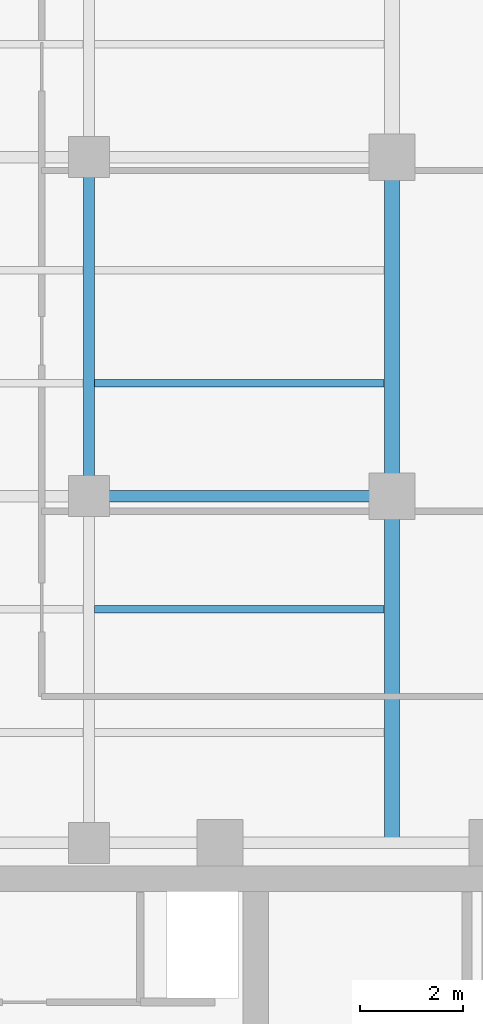
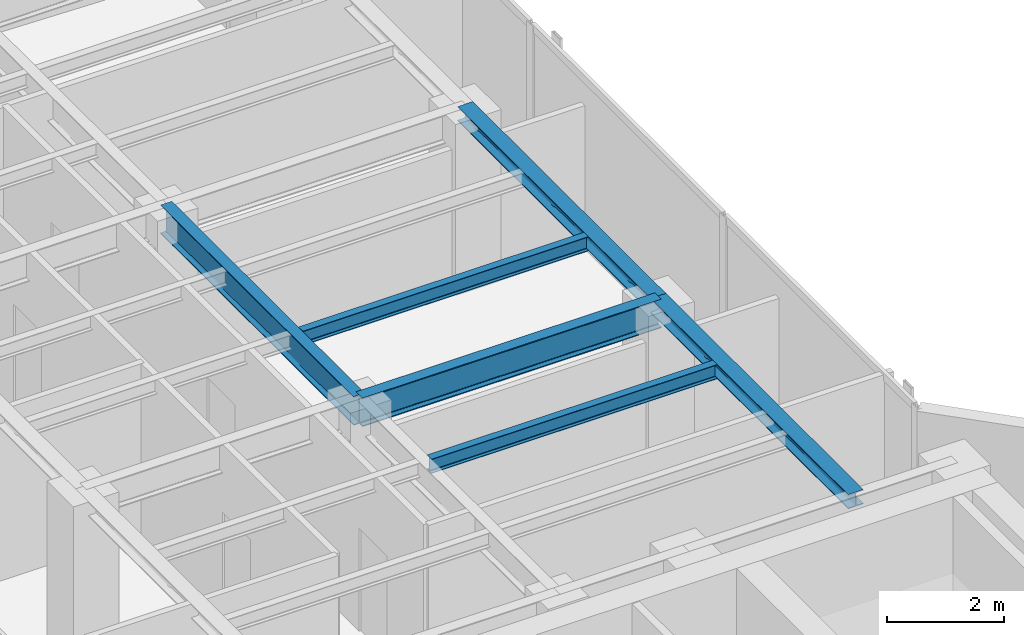
# One storey, part 9 of 22: 6 beams.
"""IFC4 building model written with IfcOpenShell, lengths in metres."""

from ifc_helpers import new_model, si_unit, direction, frame, origin, origin_2d, place, context, subcontext, project, spatial, i_section, extrude, material, material_profile, profile_set, type_object, element, save


model = new_model("IFC4")

# Units and contexts
model_context = context("Model", 3, precision=1e-05, world=origin(), true_north=direction((0.0, 1.0)))
body_context = subcontext(model_context, "Body", "Model", "MODEL_VIEW")
ifc_project = project(units=[si_unit("LENGTHUNIT", "METRE"), si_unit("AREAUNIT", "SQUARE_METRE"), si_unit("VOLUMEUNIT", "CUBIC_METRE"), si_unit("PLANEANGLEUNIT", "RADIAN"), si_unit("MASSUNIT", "GRAM", prefix="KILO")], contexts=[model_context])

# Site, building, storey
site_placement = place(None, origin())
site = spatial("IfcSite", under=ifc_project, at=site_placement, CompositionType="ELEMENT")
building_placement = place(site_placement, origin())
building = spatial("IfcBuilding", under=site, at=building_placement, Name="Kolvaren Waterfront Exchange", CompositionType="ELEMENT")
storey_placement = place(building_placement, frame((0.0, 0.0, 323.60009765625)))
storey = spatial("IfcBuildingStorey", under=building, at=storey_placement, Name="L83", CompositionType="ELEMENT", Elevation=323.60009765625)

# Beams
ifc_material = material(Name="Steel S355", Category="steel")
ifc_material_profile_1 = material_profile(ifc_material, i_section(OverallWidth=0.300048828125, OverallDepth=0.300048828125, WebThickness=0.010986328125, FlangeThickness=0.01904296875, FilletRadius=0.027099609375, at=origin_2d()), Name="HEB300")
ifc_profile_set_1 = profile_set([ifc_material_profile_1], Name="Steel S355")
beam_type_1 = type_object("IfcBeamType", Name="STR-BM-HEB300", PredefinedType="SPANDREL", material=ifc_profile_set_1)
beam_1_placement = place(storey_placement, frame((18.800048828125, 24.449951171875, 3.409912109375), z_axis=(0.0, 1.0, 0.0), x_axis=(-1.0, 0.0, 0.0)))
element("IfcBeam", 1, at=beam_1_placement, inside=storey, type_object=beam_type_1, Name="L83 north-arm edge beam 1", PredefinedType="SPANDREL", context=body_context, shape_type="SweptSolid", body=[
    extrude(i_section(OverallWidth=0.300048828125, OverallDepth=0.300048828125, WebThickness=0.010986328125, FlangeThickness=0.01904296875, FilletRadius=0.027099609375, at=origin_2d()), origin(), (0.0, 0.0, 1.0), 6.75),
])
beam_2_placement = place(storey_placement, frame((18.800048828125, 31.199951171875, 3.409912109375), z_axis=(0.0, 1.0, 0.0), x_axis=(-1.0, 0.0, 0.0)))
element("IfcBeam", 2, at=beam_2_placement, inside=storey, type_object=beam_type_1, Name="L83 north-arm edge beam 2", PredefinedType="SPANDREL", context=body_context, shape_type="SweptSolid", body=[
    extrude(i_section(OverallWidth=0.300048828125, OverallDepth=0.300048828125, WebThickness=0.010986328125, FlangeThickness=0.01904296875, FilletRadius=0.027099609375, at=origin_2d()), origin(), (0.0, 0.0, 1.0), 6.60009765625),
])
ifc_material_profile_2 = material_profile(ifc_material, i_section(OverallWidth=0.14990234375, OverallDepth=0.300048828125, WebThickness=0.007080078125, FlangeThickness=0.0107421875, FilletRadius=0.014892578125, at=origin_2d()), Name="IPE300")
ifc_profile_set_2 = profile_set([ifc_material_profile_2], Name="Steel S355")
beam_type_2 = type_object("IfcBeamType", Name="STR-BM-IPE300", PredefinedType="JOIST", material=ifc_profile_set_2)
for number, where, z_axis, x_axis, name in (
    (3, (13.011962890625, 29.0, 3.409912109375), (1.0, 0.0, 0.0), (0.0, 1.0, 0.0), "L83 north-arm composite joist 2B"),
    (4, (13.011962890625, 33.39990234375, 3.409912109375), (1.0, 0.0, 0.0), (0.0, 1.0, 0.0), "L83 north-arm composite joist 3B"),
):
    element("IfcBeam", number, at=place(storey_placement, frame(where, z_axis=z_axis, x_axis=x_axis)), inside=storey, type_object=beam_type_2, Name=name, PredefinedType="JOIST", context=body_context, shape_type="SweptSolid", body=[
        extrude(i_section(OverallWidth=0.14990234375, OverallDepth=0.300048828125, WebThickness=0.007080078125, FlangeThickness=0.0107421875, FilletRadius=0.014892578125, at=origin_2d()), origin(), (0.0, 0.0, 1.0), 5.635986328125),
    ])
ifc_material_profile_3 = material_profile(ifc_material, i_section(OverallWidth=0.219970703125, OverallDepth=0.60009765625, WebThickness=0.011962890625, FlangeThickness=0.01904296875, FilletRadius=0.02392578125, at=origin_2d()), Name="IPE600")
ifc_profile_set_3 = profile_set([ifc_material_profile_3], Name="Steel S355")
beam_type_3 = type_object("IfcBeamType", Name="STR-BM-IPE600", PredefinedType="BEAM", material=ifc_profile_set_3)
beam_3_placement = place(storey_placement, frame((12.89990234375, 31.199951171875, 3.260009765625), z_axis=(1.0, 0.0, 0.0), x_axis=(0.0, 1.0, 0.0)))
element("IfcBeam", 5, at=beam_3_placement, inside=storey, type_object=beam_type_3, Name="L83 north-arm girder 2B", PredefinedType="BEAM", context=body_context, shape_type="SweptSolid", body=[
    extrude(i_section(OverallWidth=0.219970703125, OverallDepth=0.60009765625, WebThickness=0.011962890625, FlangeThickness=0.01904296875, FilletRadius=0.02392578125, at=origin_2d()), origin(), (0.0, 0.0, 1.0), 5.900146484375),
])
beam_4_placement = place(storey_placement, frame((12.89990234375, 31.199951171875, 3.260009765625), z_axis=(0.0, 1.0, 0.0), x_axis=(-1.0, 0.0, 0.0)))
element("IfcBeam", 6, at=beam_4_placement, inside=storey, type_object=beam_type_3, Name="L83 north-arm edge beam 2", PredefinedType="BEAM", context=body_context, shape_type="SweptSolid", body=[
    extrude(i_section(OverallWidth=0.219970703125, OverallDepth=0.60009765625, WebThickness=0.011962890625, FlangeThickness=0.01904296875, FilletRadius=0.02392578125, at=origin_2d()), origin(), (0.0, 0.0, 1.0), 6.60009765625),
])

save(model, "model.ifc")
